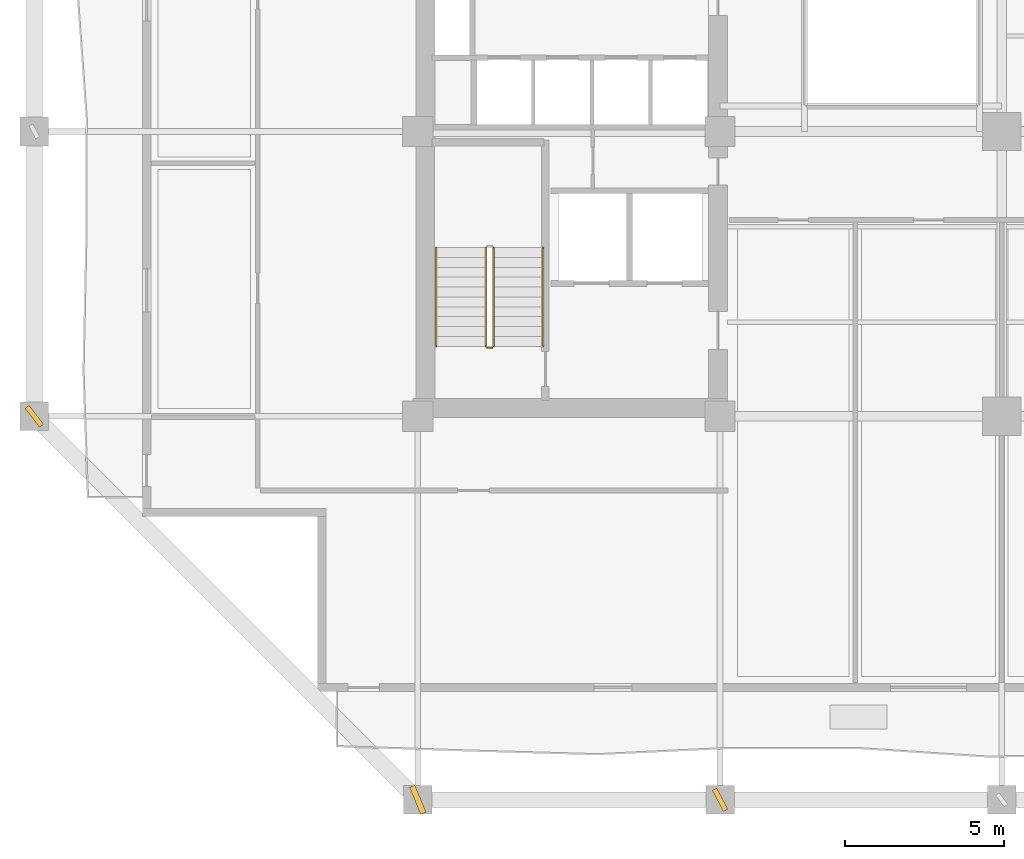
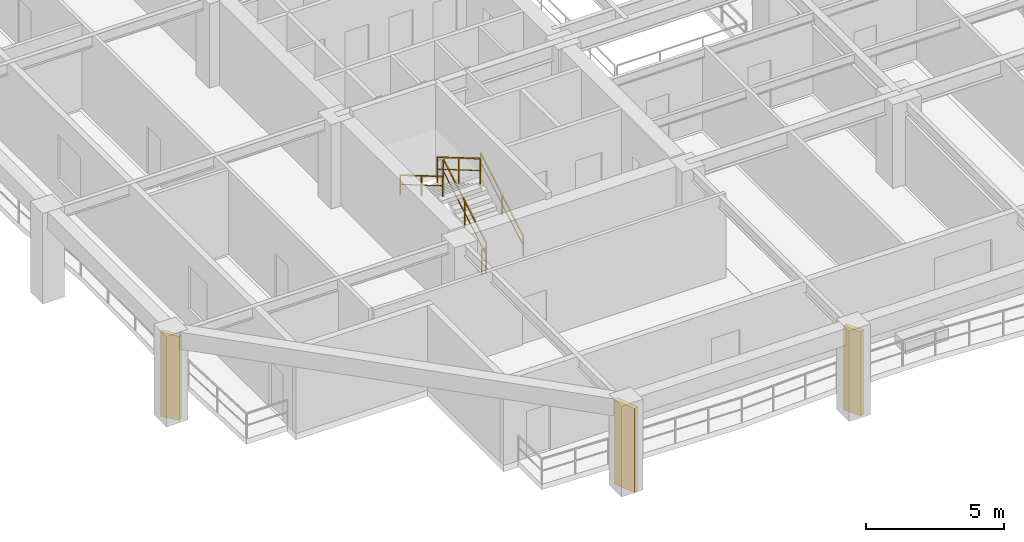
# One storey, part 7 of 13: 5 railings, 3 shading devices.
"""IFC4 building model written with IfcOpenShell, lengths in metres."""

from ifc_helpers import new_model, si_unit, direction, frame, origin, origin_2d, place, context, subcontext, project, spatial, rectangle, extrude, material, type_object, element, save


model = new_model("IFC4")

# Units and contexts
model_context = context("Model", 3, precision=1e-05, world=origin(), true_north=direction((0.0, 1.0)))
body_context = subcontext(model_context, "Body", "Model", "MODEL_VIEW")
ifc_project = project(units=[si_unit("LENGTHUNIT", "METRE"), si_unit("AREAUNIT", "SQUARE_METRE"), si_unit("VOLUMEUNIT", "CUBIC_METRE"), si_unit("PLANEANGLEUNIT", "RADIAN"), si_unit("MASSUNIT", "GRAM", prefix="KILO")], contexts=[model_context])

# Site, building, storey
site_placement = place(None, origin())
site = spatial("IfcSite", under=ifc_project, at=site_placement, CompositionType="ELEMENT")
building_placement = place(site_placement, origin())
building = spatial("IfcBuilding", under=site, at=building_placement, Name="Kundavana Baori Tower", CompositionType="ELEMENT")
storey_placement = place(building_placement, frame((0.0, 0.0, 50.0)))
storey = spatial("IfcBuildingStorey", under=building, at=storey_placement, Name="L11", CompositionType="ELEMENT", Elevation=50.0)

# Railings
ifc_material_1 = material(Name="Architectural Patinated Bronze Metalwork")
railing_type_1 = type_object("IfcRailingType", Name="RL-GRD-1150", PredefinedType="GUARDRAIL", material=ifc_material_1)
railing_1_placement = place(storey_placement, frame((17.840087890625, 17.449951171875, 0.181884765625)))
element("IfcRailing", 1, at=railing_1_placement, inside=storey, type_object=railing_type_1, Name="L11 ST1 stair guard 1", PredefinedType="GUARDRAIL", context=body_context, shape_type="SweptSolid", body=[
    extrude(rectangle(XDim=0.048095703125, YDim=0.048095703125, at=origin_2d()), frame((0.0, 0.0, 1.1259765625), z_axis=(0.0, 0.862598821094, 0.505888598258), x_axis=(-1.0, 0.0, 0.0)), (0.0, 0.0, 1.0), 3.593994140625),
    extrude(rectangle(XDim=0.03125, YDim=0.03125, at=origin_2d()), frame((0.0, 0.0, 0.597900390625), z_axis=(0.0, 0.862598821094, 0.505888598258), x_axis=(-1.0, 0.0, 0.0)), (0.0, 0.0, 1.0), 3.593994140625),
    extrude(rectangle(XDim=0.0419921875, YDim=0.0419921875, at=origin_2d()), origin(), (0.0, 0.0, 1.0), 1.101806640625),
    extrude(rectangle(XDim=0.0419921875, YDim=0.0419921875, at=origin_2d()), frame((0.0, 1.550048828125, 0.9091796875)), (0.0, 0.0, 1.0), 1.101806640625),
    extrude(rectangle(XDim=0.0419921875, YDim=0.0419921875, at=origin_2d()), frame((0.0, 3.10009765625, 1.818115234375)), (0.0, 0.0, 1.0), 1.101806640625),
])
railing_2_placement = place(storey_placement, frame((17.580078125, 20.550048828125, 2.181884765625)))
element("IfcRailing", 2, at=railing_2_placement, inside=storey, type_object=railing_type_1, Name="L11 ST1 stair guard 3", PredefinedType="GUARDRAIL", context=body_context, shape_type="SweptSolid", body=[
    extrude(rectangle(XDim=0.048095703125, YDim=0.048095703125, at=origin_2d()), frame((0.0, 0.0, 1.1259765625), z_axis=(0.0, -0.862598821094, 0.505888598258), x_axis=(1.0, 0.0, 0.0)), (0.0, 0.0, 1.0), 3.593994140625),
    extrude(rectangle(XDim=0.03125, YDim=0.03125, at=origin_2d()), frame((0.0, 0.0, 0.597900390625), z_axis=(0.0, -0.862598821094, 0.505888598258), x_axis=(1.0, 0.0, 0.0)), (0.0, 0.0, 1.0), 3.593994140625),
    extrude(rectangle(XDim=0.0419921875, YDim=0.0419921875, at=origin_2d()), origin(), (0.0, 0.0, 1.0), 1.101806640625),
    extrude(rectangle(XDim=0.0419921875, YDim=0.0419921875, at=origin_2d()), frame((0.0, -1.550048828125, 0.9091796875)), (0.0, 0.0, 1.0), 1.101806640625),
    extrude(rectangle(XDim=0.0419921875, YDim=0.0419921875, at=origin_2d()), frame((0.0, -3.10009765625, 1.818115234375)), (0.0, 0.0, 1.0), 1.101806640625),
])
railing_3_placement = place(storey_placement, frame((17.7900390625, 17.39990234375, 0.0)))
element("IfcRailing", 3, at=railing_3_placement, inside=storey, type_object=railing_type_1, Name="L11 ST1 stair guard 4", PredefinedType="GUARDRAIL", context=body_context, shape_type="SweptSolid", body=[
    extrude(rectangle(XDim=0.048095703125, YDim=0.048095703125, at=origin_2d()), frame((0.0, 0.0, 1.1259765625), z_axis=(-1.0, 0.0, 0.0), x_axis=(0.0, -1.0, 0.0)), (0.0, 0.0, 1.0), 0.16015625),
    extrude(rectangle(XDim=0.03125, YDim=0.03125, at=origin_2d()), frame((0.0, 0.0, 0.597900390625), z_axis=(-1.0, 0.0, 0.0), x_axis=(0.0, -1.0, 0.0)), (0.0, 0.0, 1.0), 0.16015625),
    extrude(rectangle(XDim=0.0419921875, YDim=0.0419921875, at=origin_2d()), origin(), (0.0, 0.0, 1.0), 1.101806640625),
    extrude(rectangle(XDim=0.0419921875, YDim=0.0419921875, at=origin_2d()), frame((-0.16015625, 0.0, 0.0)), (0.0, 0.0, 1.0), 1.101806640625),
])
ifc_material_2 = material(Name="Architectural Patinated Bronze Metalwork")
railing_type_2 = type_object("IfcRailingType", Name="RL-HND-920", PredefinedType="HANDRAIL", material=ifc_material_2)
railing_4_placement = place(storey_placement, frame((19.389892578125, 17.449951171875, 0.181884765625)))
element("IfcRailing", 4, at=railing_4_placement, inside=storey, type_object=railing_type_2, Name="L11 ST1 stair handrail 1", PredefinedType="HANDRAIL", context=body_context, shape_type="SweptSolid", body=[
    extrude(rectangle(XDim=0.048095703125, YDim=0.048095703125, at=origin_2d()), frame((0.0, 0.0, 0.8759765625), z_axis=(0.0, 0.862598821094, 0.505888598258), x_axis=(-1.0, 0.0, 0.0)), (0.0, 0.0, 1.0), 3.593994140625),
    extrude(rectangle(XDim=0.03125, YDim=0.03125, at=origin_2d()), frame((0.0, 0.0, 0.468017578125), z_axis=(0.0, 0.862598821094, 0.505888598258), x_axis=(-1.0, 0.0, 0.0)), (0.0, 0.0, 1.0), 3.593994140625),
    extrude(rectangle(XDim=0.0419921875, YDim=0.0419921875, at=origin_2d()), origin(), (0.0, 0.0, 1.0), 0.851806640625),
    extrude(rectangle(XDim=0.0419921875, YDim=0.0419921875, at=origin_2d()), frame((0.0, 1.550048828125, 0.9091796875)), (0.0, 0.0, 1.0), 0.851806640625),
    extrude(rectangle(XDim=0.0419921875, YDim=0.0419921875, at=origin_2d()), frame((0.0, 3.10009765625, 1.818115234375)), (0.0, 0.0, 1.0), 0.851806640625),
])
railing_5_placement = place(storey_placement, frame((16.030029296875, 20.550048828125, 2.181884765625)))
element("IfcRailing", 5, at=railing_5_placement, inside=storey, type_object=railing_type_2, Name="L11 ST1 stair handrail 2", PredefinedType="HANDRAIL", context=body_context, shape_type="SweptSolid", body=[
    extrude(rectangle(XDim=0.048095703125, YDim=0.048095703125, at=origin_2d()), frame((0.0, 0.0, 0.8759765625), z_axis=(0.0, -0.862598821094, 0.505888598258), x_axis=(1.0, 0.0, 0.0)), (0.0, 0.0, 1.0), 3.593994140625),
    extrude(rectangle(XDim=0.03125, YDim=0.03125, at=origin_2d()), frame((0.0, 0.0, 0.468017578125), z_axis=(0.0, -0.862598821094, 0.505888598258), x_axis=(1.0, 0.0, 0.0)), (0.0, 0.0, 1.0), 3.593994140625),
    extrude(rectangle(XDim=0.0419921875, YDim=0.0419921875, at=origin_2d()), origin(), (0.0, 0.0, 1.0), 0.851806640625),
    extrude(rectangle(XDim=0.0419921875, YDim=0.0419921875, at=origin_2d()), frame((0.0, -1.550048828125, 0.9091796875)), (0.0, 0.0, 1.0), 0.851806640625),
    extrude(rectangle(XDim=0.0419921875, YDim=0.0419921875, at=origin_2d()), frame((0.0, -3.10009765625, 1.818115234375)), (0.0, 0.0, 1.0), 0.851806640625),
])

# Shading devices
ifc_material_3 = material(Name="Red-Buff Dholpur Sandstone Cladding on Concrete C40/50", Category="masonry")
shading_device_type_1 = type_object("IfcShadingDeviceType", Name="SHD-FIN-750", PredefinedType="JALOUSIE", material=ifc_material_3)
for number, where, z_axis, x_axis, name in (
    (6, (24.949951171875, 3.199951171875, 0.0), (0.0, 0.0, 1.0), (0.884580975215, 0.46638664034, 0.0), "L11 Sweeping Dholpur Sandstone Facade Fin 2"),
    (7, (3.39990234375, 15.25, 0.0), (0.0, 0.0, 1.0), (0.793990398648, 0.607930297695, 0.0), "L11 Sweeping Dholpur Sandstone Facade Fin 5"),
):
    element("IfcShadingDevice", number, at=place(storey_placement, frame(where, z_axis=z_axis, x_axis=x_axis)), inside=storey, type_object=shading_device_type_1, Name=name, PredefinedType="JALOUSIE", context=body_context, shape_type="SweptSolid", body=[
        extrude(rectangle(XDim=0.159912109375, YDim=0.75, at=origin_2d()), origin(), (0.0, 0.0, 1.0), 3.719970703125),
    ])
ifc_material_4 = material(Name="Red-Buff Dholpur Sandstone Cladding on Concrete C40/50", Category="masonry")
shading_device_type_2 = type_object("IfcShadingDeviceType", Name="SHD-FIN-920", PredefinedType="JALOUSIE", material=ifc_material_4)
shading_device_placement = place(storey_placement, frame((15.449951171875, 3.199951171875, 0.0), z_axis=(0.0, 0.0, 1.0), x_axis=(0.926594280281, 0.376062547658, 0.0)))
element("IfcShadingDevice", 8, at=shading_device_placement, inside=storey, type_object=shading_device_type_2, Name="L11 Sweeping Dholpur Sandstone Facade Fin 1", PredefinedType="JALOUSIE", context=body_context, shape_type="SweptSolid", body=[
    extrude(rectangle(XDim=0.179931640625, YDim=0.919921875, at=origin_2d()), origin(), (0.0, 0.0, 1.0), 3.719970703125),
])

save(model, "model.ifc")
